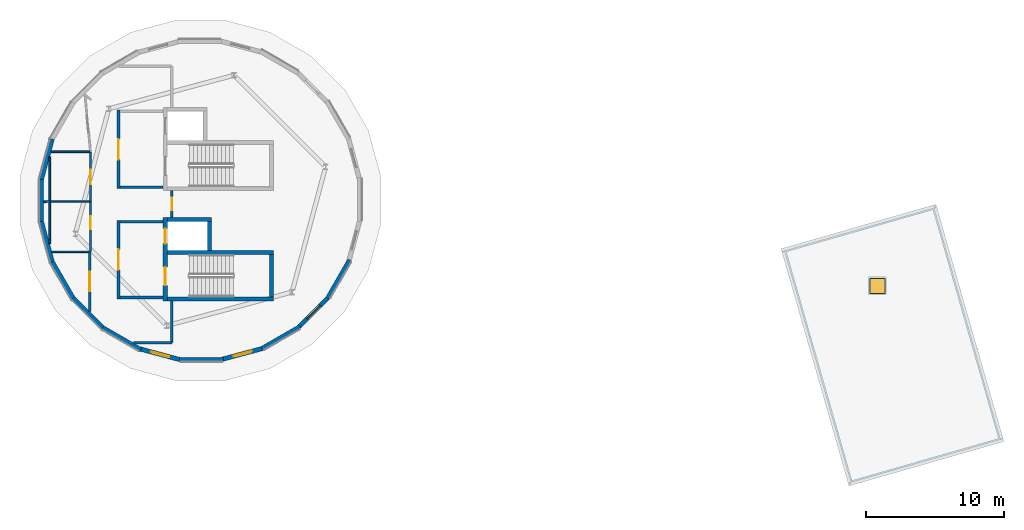
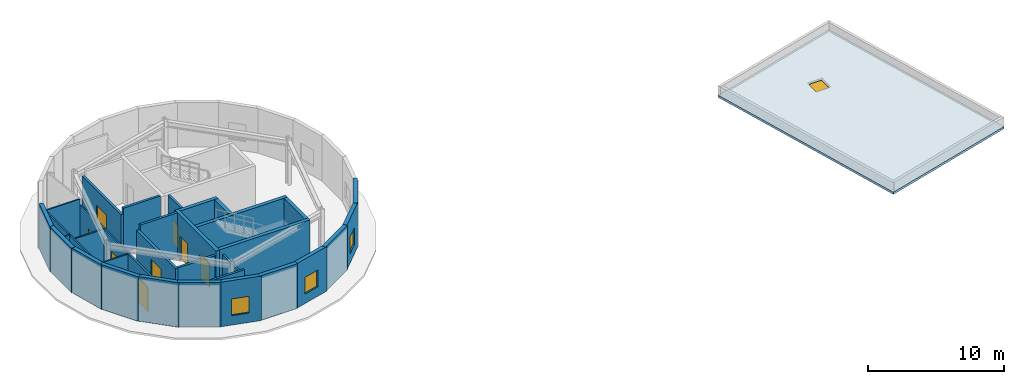
# One storey, part 2 of 5: 35 walls, 9 doors, 3 windows, 1 slab, 12 openings.
"""IFC4 building model written with IfcOpenShell, lengths in metres."""

from ifc_helpers import new_model, si_unit, direction, frame, frame_2d, origin, origin_2d, place, context, subcontext, project, spatial, polyline, rectangle, outline, extrude, material, layer, layer_set, type_object, element, fill, save


model = new_model("IFC4")

# Units and contexts
model_context = context("Model", 3, precision=1e-05, world=origin(), true_north=direction((0.0, 1.0)))
body_context = subcontext(model_context, "Body", "Model", "MODEL_VIEW")
ifc_project = project(units=[si_unit("LENGTHUNIT", "METRE"), si_unit("AREAUNIT", "SQUARE_METRE"), si_unit("VOLUMEUNIT", "CUBIC_METRE"), si_unit("PLANEANGLEUNIT", "RADIAN"), si_unit("MASSUNIT", "GRAM", prefix="KILO")], contexts=[model_context])

# Site, building, storey
site_placement = place(None, origin())
site = spatial("IfcSite", under=ifc_project, at=site_placement, CompositionType="ELEMENT")
building_placement = place(site_placement, origin())
building = spatial("IfcBuilding", under=site, at=building_placement, Name="Varnklinge Art Gallery", CompositionType="ELEMENT")
storey_placement = place(building_placement, frame((0.0, 0.0, 21.60009765625)))
storey = spatial("IfcBuildingStorey", under=building, at=storey_placement, Name="L05", CompositionType="ELEMENT", Elevation=21.60009765625)

# Slab, opening, door
ifc_material_1 = material(Name="Concrete C35/45", Category="concrete")
ifc_layer_1 = layer(ifc_material_1, 0.199951171875)
ifc_layer_set_1 = layer_set([ifc_layer_1], Name="Concrete C35/45")
slab_type = type_object("IfcSlabType", Name="SLB-ROOF20", PredefinedType="ROOF", material=ifc_layer_set_1)
slab_placement = place(storey_placement, frame((0.0, 0.0, -0.2001953125)))
slab = element("IfcSlab", 1, at=slab_placement, inside=storey, type_object=slab_type, Name="L05 Studios Top Roof Slab", PredefinedType="ROOF", context=body_context, shape_type="SweptSolid", body=[
    extrude(outline(polyline([(122.539794921875, 17.78662109375), (133.78662109375, 21.01171875), (128.8525390625, 38.21826171875), (117.605712890625, 34.9931640625), (122.539794921875, 17.78662109375)]), holes=[polyline([(124.050048828125, 31.75), (124.050048828125, 32.85009765625), (125.14990234375, 32.85009765625), (125.14990234375, 31.75), (124.050048828125, 31.75)])]), origin(), (0.0, 0.0, 1.0), 0.2001953125),
])
opening_1_placement = place(slab_placement, frame((124.60009765625, 32.300048828125, 0.0)))
opening_1 = element("IfcOpeningElement", 2, at=opening_1_placement, cuts=slab, Name="Opening RH-04", PredefinedType="OPENING", context=body_context, shape_type="SweptSolid", body=[
    extrude(rectangle(XDim=1.10009765625, YDim=1.10009765625, at=origin_2d()), origin(), (0.0, 0.0, 1.0), 0.2001953125),
])
ifc_material_2 = material(Name="Anodised Aluminium", Category="aluminium")
door_type_1 = type_object("IfcDoorType", Name="RH-T1", OperationType="SINGLE_SWING_LEFT", PredefinedType="TRAPDOOR", material=ifc_material_2)
door_1_placement = place(opening_1_placement, frame((0.0, 0.0, 0.150146484375)))
door_1 = element("IfcDoor", 3, at=door_1_placement, inside=storey, type_object=door_type_1, Name="L05 Roof Maintenance Access Hatch RH-04", OperationType="SINGLE_SWING_LEFT", OverallHeight=1.10009765625, OverallWidth=1.10009765625, PredefinedType="TRAPDOOR", context=body_context, shape_type="SweptSolid", body=[
    extrude(rectangle(XDim=1.10009765625, YDim=1.10009765625, at=origin_2d()), origin(), (0.0, 0.0, 1.0), 0.050048828125),
])
fill(opening_1, door_1)

# Wall
ifc_material_3 = material(Name="Precast concrete C40/50", Category="concrete")
ifc_layer_2 = layer(ifc_material_3, 0.320068359375)
ifc_layer_set_2 = layer_set([ifc_layer_2], Name="Precast concrete C40/50")
wall_type_1 = type_object("IfcWallType", Name="EW-32", PredefinedType="SOLIDWALL", material=ifc_layer_set_2)
wall_1_placement = place(storey_placement, frame((86.332763671875, 34.184814453125, 0.0), z_axis=(0.0, 0.0, 1.0), x_axis=(-0.499964726069, -0.86604576824, 0.0)))
element("IfcWall", 4, at=wall_1_placement, inside=storey, type_object=wall_type_1, Name="L05 Exterior Wall EW-V4D-L05-03", PredefinedType="SOLIDWALL", context=body_context, shape_type="SweptSolid", body=[
    extrude(rectangle(XDim=3.198486328125, YDim=0.320068359375, at=frame_2d((1.59912109375, 0.0))), origin(), (0.0, 0.0, 1.0), 4.0),
])

# Wall, opening, window
wall_2_placement = place(storey_placement, frame((84.8466796875, 31.52783203125, 0.0), z_axis=(0.0, 0.0, 1.0), x_axis=(-0.707106781187, -0.707106781187, 0.0)))
wall_2 = element("IfcWall", 5, at=wall_2_placement, inside=storey, type_object=wall_type_1, Name="L05 Exterior Wall EW-V4D-L05-04", PredefinedType="SOLIDWALL", context=body_context, shape_type="SweptSolid", body=[
    extrude(rectangle(XDim=3.1982421875, YDim=0.320068359375, at=frame_2d((1.59912109375, 0.0))), origin(), (0.0, 0.0, 1.0), 4.0),
])
opening_2_placement = place(wall_2_placement, frame((0.92431640625, 0.0, 0.85009765625)))
opening_2 = element("IfcOpeningElement", 6, at=opening_2_placement, cuts=wall_2, Name="Opening WN-02", PredefinedType="OPENING", context=body_context, shape_type="SweptSolid", body=[
    extrude(rectangle(XDim=1.35009765625, YDim=1.5, at=frame_2d((0.675048828125, 0.75))), frame((0.0, 0.170166015625, 0.0), z_axis=(0.0, -1.0, 0.0), x_axis=(1.0, 0.0, 0.0)), (0.0, 0.0, 1.0), 0.340087890625),
])
ifc_material_4 = material(Name="Insulated Low-E Triple Glazing", Category="glass")
window_type = type_object("IfcWindowType", Name="WN-02", PartitioningType="SINGLE_PANEL", PredefinedType="WINDOW", material=ifc_material_4)
window_1_placement = place(opening_2_placement, origin())
window_1 = element("IfcWindow", 7, at=window_1_placement, inside=storey, type_object=window_type, Name="L05 Window WIN-L05-117", OverallHeight=1.5, OverallWidth=1.35009765625, PartitioningType="SINGLE_PANEL", PredefinedType="WINDOW", context=body_context, shape_type="SweptSolid", body=[
    extrude(rectangle(XDim=1.35009765625, YDim=1.5, at=frame_2d((0.675048828125, 0.75))), frame((0.0, 0.030029296875, 0.0), z_axis=(0.0, -1.0, 0.0), x_axis=(1.0, 0.0, 0.0)), (0.0, 0.0, 1.0), 0.06005859375),
])
fill(opening_2, window_1)

# Wall
wall_3_placement = place(storey_placement, frame((82.723876953125, 29.346435546875, 0.0), z_axis=(0.0, 0.0, 1.0), x_axis=(-0.86604576824, -0.499964726069, 0.0)))
element("IfcWall", 8, at=wall_3_placement, inside=storey, type_object=wall_type_1, Name="L05 Exterior Wall EW-V4D-L05-05", PredefinedType="SOLIDWALL", context=body_context, shape_type="SweptSolid", body=[
    extrude(rectangle(XDim=3.198486328125, YDim=0.320068359375, at=frame_2d((1.59912109375, 0.0))), origin(), (0.0, 0.0, 1.0), 4.0),
])

# Wall, opening, window
wall_4_placement = place(storey_placement, frame((80.1083984375, 27.788818359375, 0.0), z_axis=(0.0, 0.0, 1.0), x_axis=(-0.965918747581, -0.258845461755, 0.0)))
wall_4 = element("IfcWall", 9, at=wall_4_placement, inside=storey, type_object=wall_type_1, Name="L05 Exterior Wall EW-V4D-L05-06", PredefinedType="SOLIDWALL", context=body_context, shape_type="SweptSolid", body=[
    extrude(rectangle(XDim=3.1982421875, YDim=0.320068359375, at=frame_2d((1.59912109375, 0.0))), origin(), (0.0, 0.0, 1.0), 4.0),
])
opening_3_placement = place(wall_4_placement, frame((0.92431640625, 0.0, 0.85009765625)))
opening_3 = element("IfcOpeningElement", 10, at=opening_3_placement, cuts=wall_4, Name="Opening WN-02", PredefinedType="OPENING", context=body_context, shape_type="SweptSolid", body=[
    extrude(rectangle(XDim=1.35009765625, YDim=1.5, at=frame_2d((0.675048828125, 0.75))), frame((0.0, 0.170166015625, 0.0), z_axis=(0.0, -1.0, 0.0), x_axis=(1.0, 0.0, 0.0)), (0.0, 0.0, 1.0), 0.340087890625),
])
window_2_placement = place(opening_3_placement, origin())
window_2 = element("IfcWindow", 11, at=window_2_placement, inside=storey, type_object=window_type, Name="L05 Window WIN-L05-118", OverallHeight=1.5, OverallWidth=1.35009765625, PartitioningType="SINGLE_PANEL", PredefinedType="WINDOW", context=body_context, shape_type="SweptSolid", body=[
    extrude(rectangle(XDim=1.35009765625, YDim=1.5, at=frame_2d((0.675048828125, 0.75))), frame((0.0, 0.030029296875, 0.0), z_axis=(0.0, -1.0, 0.0), x_axis=(1.0, 0.0, 0.0)), (0.0, 0.0, 1.0), 0.06005859375),
])
fill(opening_3, window_2)

# Wall
wall_5_placement = place(storey_placement, frame((77.17919921875, 26.9609375, 0.0), z_axis=(0.0, 0.0, 1.0), x_axis=(-1.0, 0.0, 0.0)))
element("IfcWall", 12, at=wall_5_placement, inside=storey, type_object=wall_type_1, Name="L05 Exterior Wall EW-V4D-L05-07", PredefinedType="SOLIDWALL", context=body_context, shape_type="SweptSolid", body=[
    extrude(rectangle(XDim=3.1982421875, YDim=0.320068359375, at=frame_2d((1.59912109375, 0.0))), origin(), (0.0, 0.0, 1.0), 4.0),
])

# Wall, opening, window
wall_6_placement = place(storey_placement, frame((74.135498046875, 26.919677734375, 0.0), z_axis=(0.0, 0.0, 1.0), x_axis=(-0.96593783041, 0.258774240958, 0.0)))
wall_6 = element("IfcWall", 13, at=wall_6_placement, inside=storey, type_object=wall_type_1, Name="L05 Exterior Wall EW-V4D-L05-08", PredefinedType="SOLIDWALL", context=body_context, shape_type="SweptSolid", body=[
    extrude(rectangle(XDim=3.1982421875, YDim=0.320068359375, at=frame_2d((1.59912109375, 0.0))), origin(), (0.0, 0.0, 1.0), 4.0),
])
opening_4_placement = place(wall_6_placement, frame((0.92431640625, 0.0, 0.85009765625)))
opening_4 = element("IfcOpeningElement", 14, at=opening_4_placement, cuts=wall_6, Name="Opening WN-02", PredefinedType="OPENING", context=body_context, shape_type="SweptSolid", body=[
    extrude(rectangle(XDim=1.35009765625, YDim=1.5, at=frame_2d((0.675048828125, 0.75))), frame((0.0, 0.170166015625, 0.0), z_axis=(0.0, -1.0, 0.0), x_axis=(1.0, 0.0, 0.0)), (0.0, 0.0, 1.0), 0.340087890625),
])
window_3_placement = place(opening_4_placement, origin())
window_3 = element("IfcWindow", 15, at=window_3_placement, inside=storey, type_object=window_type, Name="L05 Window WIN-L05-119", OverallHeight=1.5, OverallWidth=1.35009765625, PartitioningType="SINGLE_PANEL", PredefinedType="WINDOW", context=body_context, shape_type="SweptSolid", body=[
    extrude(rectangle(XDim=1.35009765625, YDim=1.5, at=frame_2d((0.675048828125, 0.75))), frame((0.0, 0.030029296875, 0.0), z_axis=(0.0, -1.0, 0.0), x_axis=(1.0, 0.0, 0.0)), (0.0, 0.0, 1.0), 0.06005859375),
])
fill(opening_4, window_3)

# Walls
wall_7_placement = place(storey_placement, frame((71.184814453125, 27.667236328125, 0.0), z_axis=(0.0, 0.0, 1.0), x_axis=(-0.86604576824, 0.499964726069, 0.0)))
element("IfcWall", 16, at=wall_7_placement, inside=storey, type_object=wall_type_1, Name="L05 Exterior Wall EW-V4D-L05-09", PredefinedType="SOLIDWALL", context=body_context, shape_type="SweptSolid", body=[
    extrude(rectangle(XDim=3.198486328125, YDim=0.320068359375, at=frame_2d((1.59912109375, 0.0))), origin(), (0.0, 0.0, 1.0), 4.0),
])
wall_8_placement = place(storey_placement, frame((68.52783203125, 29.1533203125, 0.0), z_axis=(0.0, 0.0, 1.0), x_axis=(-0.707106781187, 0.707106781187, 0.0)))
element("IfcWall", 17, at=wall_8_placement, inside=storey, type_object=wall_type_1, Name="L05 Exterior Wall EW-V4D-L05-10", PredefinedType="SOLIDWALL", context=body_context, shape_type="SweptSolid", body=[
    extrude(rectangle(XDim=3.1982421875, YDim=0.320068359375, at=frame_2d((1.59912109375, 0.0))), origin(), (0.0, 0.0, 1.0), 4.0),
])
wall_9_placement = place(storey_placement, frame((66.346435546875, 31.276123046875, 0.0), z_axis=(0.0, 0.0, 1.0), x_axis=(-0.499964726069, 0.86604576824, 0.0)))
element("IfcWall", 18, at=wall_9_placement, inside=storey, type_object=wall_type_1, Name="L05 Exterior Wall EW-V4D-L05-11", PredefinedType="SOLIDWALL", context=body_context, shape_type="SweptSolid", body=[
    extrude(rectangle(XDim=3.198486328125, YDim=0.320068359375, at=frame_2d((1.59912109375, 0.0))), origin(), (0.0, 0.0, 1.0), 4.0),
])
for number, where, z_axis, x_axis, name in (
    (19, (64.788818359375, 33.8916015625, 0.0), (0.0, 0.0, 1.0), (-0.258845461755, 0.965918747581, 0.0), "L05 Exterior Wall EW-V4D-L05-12"),
    (20, (63.9609375, 36.82080078125, 0.0), (0.0, 0.0, 1.0), (0.0, 1.0, 0.0), "L05 Exterior Wall EW-V4D-L05-13"),
    (21, (63.919677734375, 39.864501953125, 0.0), (0.0, 0.0, 1.0), (0.258774240958, 0.96593783041, 0.0), "L05 Exterior Wall EW-V4D-L05-14"),
):
    element("IfcWall", number, at=place(storey_placement, frame(where, z_axis=z_axis, x_axis=x_axis)), inside=storey, type_object=wall_type_1, Name=name, PredefinedType="SOLIDWALL", context=body_context, shape_type="SweptSolid", body=[
        extrude(rectangle(XDim=3.1982421875, YDim=0.320068359375, at=frame_2d((1.59912109375, 0.0))), origin(), (0.0, 0.0, 1.0), 4.0),
    ])

# Wall, opening, door
ifc_material_5 = material(Name="Gypsum Board Partition", Category="gypsum")
ifc_layer_3 = layer(ifc_material_5, 0.1201171875)
ifc_layer_set_3 = layer_set([ifc_layer_3], Name="Gypsum Board Partition")
wall_type_2 = type_object("IfcWallType", Name="IW-12", PredefinedType="PARTITIONING", material=ifc_layer_set_3)
wall_10_placement = place(storey_placement, frame((67.530029296875, 38.39990234375, 0.0), z_axis=(0.0, 0.0, 1.0), x_axis=(0.0, -1.0, 0.0)))
wall_10 = element("IfcWall", 22, at=wall_10_placement, inside=storey, type_object=wall_type_2, Name="L05 Partition Wall IW-L05-0377", PredefinedType="PARTITIONING", context=body_context, shape_type="SweptSolid", body=[
    extrude(rectangle(XDim=3.599853515625, YDim=0.1201171875, at=frame_2d((1.7998046875, 0.0))), origin(), (0.0, 0.0, 1.0), 3.489990234375),
])
opening_5_placement = place(wall_10_placement, frame((1.031982421875, 0.0, 0.0)))
opening_5 = element("IfcOpeningElement", 23, at=opening_5_placement, cuts=wall_10, Name="Opening D-L05-271", PredefinedType="OPENING", context=body_context, shape_type="SweptSolid", body=[
    extrude(rectangle(XDim=0.9599609375, YDim=2.10009765625, at=frame_2d((0.47998046875, 1.050048828125))), frame((0.0, 0.070068359375, 0.0), z_axis=(0.0, -1.0, 0.0), x_axis=(1.0, 0.0, 0.0)), (0.0, 0.0, 1.0), 0.14013671875),
])
ifc_material_6 = material(Name="Oak Timber Leaf", Category="wood")
door_type_2 = type_object("IfcDoorType", Name="ID-02", OperationType="SINGLE_SWING_RIGHT", PredefinedType="DOOR", material=ifc_material_6)
door_2_placement = place(opening_5_placement, origin())
door_2 = element("IfcDoor", 24, at=door_2_placement, inside=storey, type_object=door_type_2, Name="L05 L05 Accessible WC Central Door D-L05-271", OperationType="SINGLE_SWING_LEFT", OverallHeight=2.10009765625, OverallWidth=0.9599609375, PredefinedType="DOOR", context=body_context, shape_type="SweptSolid", body=[
    extrude(rectangle(XDim=0.9599609375, YDim=2.10009765625, at=frame_2d((0.47998046875, 1.050048828125))), frame((0.0, 0.02490234375, 0.0), z_axis=(0.0, -1.0, 0.0), x_axis=(1.0, 0.0, 0.0)), (0.0, 0.0, 1.0), 0.050048828125),
])
fill(opening_5, door_2)

wall_11_placement = place(storey_placement, frame((67.530029296875, 42.0, 0.0), z_axis=(0.0, 0.0, 1.0), x_axis=(0.0, -1.0, 0.0)))
wall_11 = element("IfcWall", 25, at=wall_11_placement, inside=storey, type_object=wall_type_2, Name="L05 Partition Wall IW-L05-0378", PredefinedType="PARTITIONING", context=body_context, shape_type="SweptSolid", body=[
    extrude(rectangle(XDim=3.60009765625, YDim=0.1201171875, at=frame_2d((1.800048828125, 0.0))), origin(), (0.0, 0.0, 1.0), 3.489990234375),
])
opening_6_placement = place(wall_11_placement, frame((1.2900390625, 0.0, 0.0)))
opening_6 = element("IfcOpeningElement", 26, at=opening_6_placement, cuts=wall_11, Name="Opening D-L05-272", PredefinedType="OPENING", context=body_context, shape_type="SweptSolid", body=[
    extrude(rectangle(XDim=1.02001953125, YDim=2.1201171875, at=frame_2d((0.510009765625, 1.06005859375))), frame((0.0, 0.070068359375, 0.0), z_axis=(0.0, -1.0, 0.0), x_axis=(1.0, 0.0, 0.0)), (0.0, 0.0, 1.0), 0.14013671875),
])
ifc_material_7 = material(Name="Oak Timber Leaf", Category="wood")
door_type_3 = type_object("IfcDoorType", Name="ID-03", OperationType="SINGLE_SWING_LEFT", PredefinedType="DOOR", material=ifc_material_7)
door_3_placement = place(opening_6_placement, origin())
door_3 = element("IfcDoor", 27, at=door_3_placement, inside=storey, type_object=door_type_3, Name="L05 L05 Public Restroom Central Door D-L05-272", OperationType="SINGLE_SWING_RIGHT", OverallHeight=2.1201171875, OverallWidth=1.02001953125, PredefinedType="DOOR", context=body_context, shape_type="SweptSolid", body=[
    extrude(rectangle(XDim=1.02001953125, YDim=2.1201171875, at=frame_2d((0.510009765625, 1.06005859375))), frame((0.0, 0.02490234375, 0.0), z_axis=(0.0, -1.0, 0.0), x_axis=(1.0, 0.0, 0.0)), (0.0, 0.0, 1.0), 0.050048828125),
])
fill(opening_6, door_3)

# Walls
wall_12_placement = place(storey_placement, frame((64.125, 38.400390625, 0.0), z_axis=(0.0, 0.0, 1.0), x_axis=(0.998072483986, 0.062058977678, 0.0)))
element("IfcWall", 28, at=wall_12_placement, inside=storey, type_object=wall_type_2, Name="L05 Partition Wall IW-L05-0387", PredefinedType="PARTITIONING", context=body_context, shape_type="SweptSolid", body=[
    extrude(rectangle(XDim=0.47607421875, YDim=0.1201171875, at=frame_2d((0.238037109375, 0.0))), origin(), (0.0, 0.0, 1.0), 3.989990234375),
])
wall_13_placement = place(storey_placement, frame((64.60009765625, 38.429931640625, 0.0), z_axis=(0.0, 0.0, 1.0), x_axis=(1.0, 0.0, 0.0)))
element("IfcWall", 29, at=wall_13_placement, inside=storey, type_object=wall_type_2, Name="L05 Partition Wall IW-L05-0388", PredefinedType="PARTITIONING", context=body_context, shape_type="SweptSolid", body=[
    extrude(rectangle(XDim=2.85498046875, YDim=0.1201171875, at=frame_2d((1.427490234375, 0.0))), origin(), (0.0, 0.0, 1.0), 3.489990234375),
])
wall_14_placement = place(storey_placement, frame((64.570068359375, 35.341552734375, 0.0), z_axis=(0.0, 0.0, 1.0), x_axis=(0.0, 1.0, 0.0)))
element("IfcWall", 30, at=wall_14_placement, inside=storey, type_object=wall_type_2, Name="L05 Partition Wall IW-L05-0389", PredefinedType="PARTITIONING", context=body_context, shape_type="SweptSolid", body=[
    extrude(rectangle(XDim=3.011474609375, YDim=0.1201171875, at=frame_2d((1.505859375, 0.0))), origin(), (0.0, 0.0, 1.0), 3.989990234375),
])
wall_15_placement = place(storey_placement, frame((67.364990234375, 34.77001953125, 0.0), z_axis=(0.0, 0.0, 1.0), x_axis=(-1.0, 0.0, 0.0)))
element("IfcWall", 31, at=wall_15_placement, inside=storey, type_object=wall_type_2, Name="L05 Partition Wall IW-L05-0390", PredefinedType="PARTITIONING", context=body_context, shape_type="SweptSolid", body=[
    extrude(rectangle(XDim=2.641845703125, YDim=0.1201171875, at=frame_2d((1.32080078125, 0.0))), origin(), (0.0, 0.0, 1.0), 3.489990234375),
])
wall_16_placement = place(storey_placement, frame((64.66943359375, 42.030029296875, 0.0), z_axis=(0.0, 0.0, 1.0), x_axis=(1.0, 0.0, 0.0)))
element("IfcWall", 32, at=wall_16_placement, inside=storey, type_object=wall_type_2, Name="L05 Partition Wall IW-L05-0391", PredefinedType="PARTITIONING", context=body_context, shape_type="SweptSolid", body=[
    extrude(rectangle(XDim=2.79248046875, YDim=0.1201171875, at=frame_2d((1.396240234375, 0.0))), origin(), (0.0, 0.0, 1.0), 3.989990234375),
])
wall_17_placement = place(storey_placement, frame((64.570068359375, 38.50341796875, 0.0), z_axis=(0.0, 0.0, 1.0), x_axis=(0.0, 1.0, 0.0)))
element("IfcWall", 33, at=wall_17_placement, inside=storey, type_object=wall_type_2, Name="L05 Partition Wall IW-L05-0392", PredefinedType="PARTITIONING", context=body_context, shape_type="SweptSolid", body=[
    extrude(rectangle(XDim=3.155029296875, YDim=0.1201171875, at=frame_2d((1.57763671875, 0.0))), origin(), (0.0, 0.0, 1.0), 3.989990234375),
])

# Wall, opening, door
ifc_material_8 = material(Name="Gypsum Board Partition", Category="gypsum")
ifc_layer_4 = layer(ifc_material_8, 0.179931640625)
ifc_layer_set_4 = layer_set([ifc_layer_4], Name="Gypsum Board Partition")
wall_type_3 = type_object("IfcWallType", Name="IW-18", PredefinedType="PARTITIONING", material=ifc_layer_set_4)
wall_18_placement = place(storey_placement, frame((73.429931640625, 39.2060546875, 0.0), z_axis=(0.0, 0.0, 1.0), x_axis=(0.0, -1.0, 0.0)))
wall_18 = element("IfcWall", 34, at=wall_18_placement, inside=storey, type_object=wall_type_3, Name="L05 Partition Wall IW-L05-0381", PredefinedType="PARTITIONING", context=body_context, shape_type="SweptSolid", body=[
    extrude(rectangle(XDim=1.942138671875, YDim=0.179931640625, at=frame_2d((0.97119140625, 0.0))), origin(), (0.0, 0.0, 1.0), 3.989990234375),
])
opening_7_placement = place(wall_18_placement, frame((0.510986328125, 0.0, 0.0)))
opening_7 = element("IfcOpeningElement", 35, at=opening_7_placement, cuts=wall_18, Name="Opening D-L05-274", PredefinedType="OPENING", context=body_context, shape_type="SweptSolid", body=[
    extrude(rectangle(XDim=0.919921875, YDim=2.080078125, at=frame_2d((0.4599609375, 1.0400390625))), frame((0.0, 0.099853515625, 0.0), z_axis=(0.0, -1.0, 0.0), x_axis=(1.0, 0.0, 0.0)), (0.0, 0.0, 1.0), 0.199951171875),
])
ifc_material_9 = material(Name="Oak Timber Leaf", Category="wood")
door_type_4 = type_object("IfcDoorType", Name="ID-01", OperationType="SINGLE_SWING_LEFT", PredefinedType="DOOR", material=ifc_material_9)
door_4_placement = place(opening_7_placement, origin())
door_4 = element("IfcDoor", 36, at=door_4_placement, inside=storey, type_object=door_type_4, Name="L05 L05 Sky Cabinet and Curatorial Salon Door D-L05-274", OperationType="SINGLE_SWING_RIGHT", OverallHeight=2.080078125, OverallWidth=0.919921875, PredefinedType="DOOR", context=body_context, shape_type="SweptSolid", body=[
    extrude(rectangle(XDim=0.919921875, YDim=2.080078125, at=frame_2d((0.4599609375, 1.0400390625))), frame((0.0, 0.02490234375, 0.0), z_axis=(0.0, -1.0, 0.0), x_axis=(1.0, 0.0, 0.0)), (0.0, 0.0, 1.0), 0.050048828125),
])
fill(opening_7, door_4)

# Walls
wall_19_placement = place(storey_placement, frame((73.429931640625, 31.196044921875, 0.0), z_axis=(0.0, 0.0, 1.0), x_axis=(-0.00291284467, -0.999995757659, 0.0)))
element("IfcWall", 37, at=wall_19_placement, inside=storey, type_object=wall_type_3, Name="L05 Partition Wall IW-L05-0382", PredefinedType="PARTITIONING", context=body_context, shape_type="SweptSolid", body=[
    extrude(rectangle(XDim=3.017333984375, YDim=0.179931640625, at=frame_2d((1.5087890625, 0.0))), origin(), (0.0, 0.0, 1.0), 3.489990234375),
])
wall_20_placement = place(storey_placement, frame((73.421142578125, 28.1787109375, 0.0), z_axis=(0.0, 0.0, 1.0), x_axis=(-0.999994998984, -0.003162595095, 0.0)))
element("IfcWall", 38, at=wall_20_placement, inside=storey, type_object=wall_type_3, Name="L05 Partition Wall IW-L05-0383", PredefinedType="PARTITIONING", context=body_context, shape_type="SweptSolid", body=[
    extrude(rectangle(XDim=2.779052734375, YDim=0.179931640625, at=frame_2d((1.3896484375, 0.0))), origin(), (0.0, 0.0, 1.0), 3.989990234375),
])

# Wall, opening, door
wall_21_placement = place(storey_placement, frame((67.469970703125, 30.443115234375, 0.0), z_axis=(0.0, 0.0, 1.0), x_axis=(0.0, 1.0, 0.0)))
wall_21 = element("IfcWall", 39, at=wall_21_placement, inside=storey, type_object=wall_type_3, Name="L05 Partition Wall IW-L05-0386", PredefinedType="PARTITIONING", context=body_context, shape_type="SweptSolid", body=[
    extrude(rectangle(XDim=4.35693359375, YDim=0.179931640625, at=frame_2d((2.178466796875, 0.0))), origin(), (0.0, 0.0, 1.0), 3.489990234375),
])
opening_8_placement = place(wall_21_placement, frame((1.468505859375, 0.0, 0.0)))
opening_8 = element("IfcOpeningElement", 40, at=opening_8_placement, cuts=wall_21, Name="Opening D-L05-275", PredefinedType="OPENING", context=body_context, shape_type="SweptSolid", body=[
    extrude(rectangle(XDim=1.419921875, YDim=2.179931640625, at=frame_2d((0.7099609375, 1.08984375))), frame((0.0, 0.099853515625, 0.0), z_axis=(0.0, -1.0, 0.0), x_axis=(1.0, 0.0, 0.0)), (0.0, 0.0, 1.0), 0.199951171875),
])
ifc_material_10 = material(Name="Oak Timber Leaf", Category="wood")
door_type_5 = type_object("IfcDoorType", Name="ID-07", OperationType="DOUBLE_DOOR_SINGLE_SWING", PredefinedType="DOOR", material=ifc_material_10)
door_5_placement = place(opening_8_placement, origin())
door_5 = element("IfcDoor", 41, at=door_5_placement, inside=storey, type_object=door_type_5, Name="L05 L05 Sky Cabinet and Curatorial Salon 2 Door D-L05-275", OperationType="DOUBLE_DOOR_SINGLE_SWING", OverallHeight=2.179931640625, OverallWidth=1.419921875, PredefinedType="DOOR", context=body_context, shape_type="SweptSolid", body=[
    extrude(rectangle(XDim=1.419921875, YDim=2.179931640625, at=frame_2d((0.7099609375, 1.08984375))), frame((0.0, 0.02490234375, 0.0), z_axis=(0.0, -1.0, 0.0), x_axis=(1.0, 0.0, 0.0)), (0.0, 0.0, 1.0), 0.050048828125),
])
fill(opening_8, door_5)

# Walls
ifc_material_11 = material(Name="Concrete C40/50", Category="concrete")
ifc_layer_5 = layer(ifc_material_11, 0.199951171875)
ifc_layer_set_5 = layer_set([ifc_layer_5], Name="Concrete C40/50")
wall_type_4 = type_object("IfcWallType", Name="IW-20", PredefinedType="PARTITIONING", material=ifc_layer_set_5)
wall_22_placement = place(storey_placement, frame((69.64990234375, 31.449951171875, 0.0), z_axis=(0.0, 0.0, 1.0), x_axis=(1.0, 0.0, 0.0)))
element("IfcWall", 42, at=wall_22_placement, inside=storey, type_object=wall_type_4, Name="L05 Core C1 Lobby South Wall", PredefinedType="PARTITIONING", context=body_context, shape_type="SweptSolid", body=[
    extrude(rectangle(XDim=3.150146484375, YDim=0.199951171875, at=frame_2d((1.5751953125, 0.0))), origin(), (0.0, 0.0, 1.0), 3.489990234375),
])
wall_23_placement = place(storey_placement, frame((72.800048828125, 36.9599609375, 0.0), z_axis=(0.0, 0.0, 1.0), x_axis=(-1.0, 0.0, 0.0)))
element("IfcWall", 43, at=wall_23_placement, inside=storey, type_object=wall_type_4, Name="L05 Core C1 Lobby North Wall", PredefinedType="PARTITIONING", context=body_context, shape_type="SweptSolid", body=[
    extrude(rectangle(XDim=3.150146484375, YDim=0.199951171875, at=frame_2d((1.5751953125, 0.0))), origin(), (0.0, 0.0, 1.0), 4.0),
])

# Wall, opening, door
wall_24_placement = place(storey_placement, frame((69.550048828125, 31.35009765625, 0.0), z_axis=(0.0, 0.0, 1.0), x_axis=(0.0, 1.0, 0.0)))
wall_24 = element("IfcWall", 44, at=wall_24_placement, inside=storey, type_object=wall_type_4, Name="L05 Core C1 Lobby Corridor Wall", PredefinedType="PARTITIONING", context=body_context, shape_type="SweptSolid", body=[
    extrude(rectangle(XDim=5.7099609375, YDim=0.199951171875, at=frame_2d((2.85498046875, 0.0))), origin(), (0.0, 0.0, 1.0), 3.489990234375),
])
opening_9_placement = place(wall_24_placement, frame((2.114990234375, 0.0, 0.0)))
opening_9 = element("IfcOpeningElement", 45, at=opening_9_placement, cuts=wall_24, Name="Opening D-L05-021", PredefinedType="OPENING", context=body_context, shape_type="SweptSolid", body=[
    extrude(rectangle(XDim=1.47998046875, YDim=2.14990234375, at=frame_2d((0.739990234375, 1.074951171875))), frame((0.0, 0.110107421875, 0.0), z_axis=(0.0, -1.0, 0.0), x_axis=(1.0, 0.0, 0.0)), (0.0, 0.0, 1.0), 0.219970703125),
])
ifc_material_12 = material(Name="Galvanised Fire-Rated Steel", Category="steel")
door_type_6 = type_object("IfcDoorType", Name="ID-LB1", OperationType="DOUBLE_DOOR_SINGLE_SWING", PredefinedType="DOOR", material=ifc_material_12)
door_6_placement = place(opening_9_placement, origin())
door_6 = element("IfcDoor", 46, at=door_6_placement, inside=storey, type_object=door_type_6, Name="L05 Core C1 Protected Lobby Door D-L05-021", OperationType="DOUBLE_DOOR_SINGLE_SWING", OverallHeight=2.14990234375, OverallWidth=1.47998046875, PredefinedType="DOOR", context=body_context, shape_type="SweptSolid", body=[
    extrude(rectangle(XDim=1.47998046875, YDim=2.14990234375, at=frame_2d((0.739990234375, 1.074951171875))), frame((0.0, 0.02490234375, 0.0), z_axis=(0.0, -1.0, 0.0), x_axis=(1.0, 0.0, 0.0)), (0.0, 0.0, 1.0), 0.050048828125),
])
fill(opening_9, door_6)

# Wall
wall_25_placement = place(storey_placement, frame((69.64990234375, 39.449951171875, 0.0), z_axis=(0.0, 0.0, 1.0), x_axis=(1.0, 0.0, 0.0)))
element("IfcWall", 47, at=wall_25_placement, inside=storey, type_object=wall_type_4, Name="L05 Core C2 Lobby South Wall", PredefinedType="PARTITIONING", context=body_context, shape_type="SweptSolid", body=[
    extrude(rectangle(XDim=3.150146484375, YDim=0.199951171875, at=frame_2d((1.5751953125, 0.0))), origin(), (0.0, 0.0, 1.0), 4.0),
])

# Wall, opening, door
wall_26_placement = place(storey_placement, frame((69.550048828125, 39.35009765625, 0.0), z_axis=(0.0, 0.0, 1.0), x_axis=(0.0, 1.0, 0.0)))
wall_26 = element("IfcWall", 48, at=wall_26_placement, inside=storey, type_object=wall_type_4, Name="L05 Core C2 Lobby Corridor Wall", PredefinedType="PARTITIONING", context=body_context, shape_type="SweptSolid", body=[
    extrude(rectangle(XDim=5.7099609375, YDim=0.199951171875, at=frame_2d((2.85498046875, 0.0))), origin(), (0.0, 0.0, 1.0), 3.489990234375),
])
opening_10_placement = place(wall_26_placement, frame((2.114990234375, 0.0, 0.0)))
opening_10 = element("IfcOpeningElement", 49, at=opening_10_placement, cuts=wall_26, Name="Opening D-L05-045", PredefinedType="OPENING", context=body_context, shape_type="SweptSolid", body=[
    extrude(rectangle(XDim=1.47998046875, YDim=2.14990234375, at=frame_2d((0.739990234375, 1.074951171875))), frame((0.0, 0.110107421875, 0.0), z_axis=(0.0, -1.0, 0.0), x_axis=(1.0, 0.0, 0.0)), (0.0, 0.0, 1.0), 0.219970703125),
])
door_7_placement = place(opening_10_placement, origin())
door_7 = element("IfcDoor", 50, at=door_7_placement, inside=storey, type_object=door_type_6, Name="L05 Core C2 Protected Lobby Door D-L05-045", OperationType="DOUBLE_DOOR_SINGLE_SWING", OverallHeight=2.14990234375, OverallWidth=1.47998046875, PredefinedType="DOOR", context=body_context, shape_type="SweptSolid", body=[
    extrude(rectangle(XDim=1.47998046875, YDim=2.14990234375, at=frame_2d((0.739990234375, 1.074951171875))), frame((0.0, 0.02490234375, 0.0), z_axis=(0.0, -1.0, 0.0), x_axis=(1.0, 0.0, 0.0)), (0.0, 0.0, 1.0), 0.050048828125),
])
fill(opening_10, door_7)

# Walls
ifc_material_13 = material(Name="Concrete C40/50", Category="concrete")
ifc_layer_6 = layer(ifc_material_13, 0.300048828125)
ifc_layer_set_6 = layer_set([ifc_layer_6], Name="Concrete C40/50")
wall_type_5 = type_object("IfcWallType", Name="SW-30", PredefinedType="SHEAR", material=ifc_layer_set_6)
wall_27_placement = place(storey_placement, frame((73.10009765625, 31.35009765625, 0.0), z_axis=(0.0, 0.0, 1.0), x_axis=(1.0, 0.0, 0.0)))
element("IfcWall", 51, at=wall_27_placement, inside=storey, type_object=wall_type_5, Name="L05 Core C1 South Shear Wall", PredefinedType="SHEAR", context=body_context, shape_type="SweptSolid", body=[
    extrude(rectangle(XDim=7.699951171875, YDim=0.300048828125, at=frame_2d((3.85009765625, 0.0))), origin(), (0.0, 0.0, 1.0), 4.0),
])
wall_28_placement = place(storey_placement, frame((80.64990234375, 31.5, 0.0), z_axis=(0.0, 0.0, 1.0), x_axis=(0.0, 1.0, 0.0)))
element("IfcWall", 52, at=wall_28_placement, inside=storey, type_object=wall_type_5, Name="L05 Core C1 East Shear Wall", PredefinedType="SHEAR", context=body_context, shape_type="SweptSolid", body=[
    extrude(rectangle(XDim=3.06005859375, YDim=0.300048828125, at=frame_2d((1.530029296875, 0.0))), origin(), (0.0, 0.0, 1.0), 4.0),
])
wall_29_placement = place(storey_placement, frame((80.800048828125, 34.7099609375, 0.0), z_axis=(0.0, 0.0, 1.0), x_axis=(-1.0, 0.0, 0.0)))
element("IfcWall", 53, at=wall_29_placement, inside=storey, type_object=wall_type_5, Name="L05 Core C1 Dividing Shear Wall", PredefinedType="SHEAR", context=body_context, shape_type="SweptSolid", body=[
    extrude(rectangle(XDim=7.699951171875, YDim=0.300048828125, at=frame_2d((3.85009765625, 0.0))), origin(), (0.0, 0.0, 1.0), 4.0),
])
wall_30_placement = place(storey_placement, frame((76.14990234375, 34.860107421875, 0.0), z_axis=(0.0, 0.0, 1.0), x_axis=(0.0, 1.0, 0.0)))
element("IfcWall", 54, at=wall_30_placement, inside=storey, type_object=wall_type_5, Name="L05 Core C1 Lift East Shear Wall", PredefinedType="SHEAR", context=body_context, shape_type="SweptSolid", body=[
    extrude(rectangle(XDim=2.099853515625, YDim=0.300048828125, at=frame_2d((1.0498046875, 0.0))), origin(), (0.0, 0.0, 1.0), 4.0),
])
wall_31_placement = place(storey_placement, frame((76.300048828125, 37.110107421875, 0.0), z_axis=(0.0, 0.0, 1.0), x_axis=(-1.0, 0.0, 0.0)))
element("IfcWall", 55, at=wall_31_placement, inside=storey, type_object=wall_type_5, Name="L05 Core C1 Lift North Shear Wall", PredefinedType="SHEAR", context=body_context, shape_type="SweptSolid", body=[
    extrude(rectangle(XDim=3.199951171875, YDim=0.300048828125, at=frame_2d((1.60009765625, 0.0))), origin(), (0.0, 0.0, 1.0), 4.0),
])

# Wall, openings, doors
wall_32_placement = place(storey_placement, frame((72.949951171875, 37.260009765625, 0.0), z_axis=(0.0, 0.0, 1.0), x_axis=(0.0, -1.0, 0.0)))
wall_32 = element("IfcWall", 56, at=wall_32_placement, inside=storey, type_object=wall_type_5, Name="L05 Core C1 Front Shear Wall", PredefinedType="SHEAR", context=body_context, shape_type="SweptSolid", body=[
    extrude(rectangle(XDim=6.06005859375, YDim=0.300048828125, at=frame_2d((3.030029296875, 0.0))), origin(), (0.0, 0.0, 1.0), 4.0),
])
opening_11_placement = place(wall_32_placement, frame((0.800048828125, 0.0, 0.0)))
opening_11 = element("IfcOpeningElement", 57, at=opening_11_placement, cuts=wall_32, Name="Opening LD-L05-019", PredefinedType="OPENING", context=body_context, shape_type="SweptSolid", body=[
    extrude(rectangle(XDim=1.10009765625, YDim=2.1201171875, at=frame_2d((0.550048828125, 1.06005859375))), frame((0.0, 0.159912109375, 0.0), z_axis=(0.0, -1.0, 0.0), x_axis=(1.0, 0.0, 0.0)), (0.0, 0.0, 1.0), 0.320068359375),
])
opening_12_placement = place(wall_32_placement, frame((3.60009765625, 0.0, 0.0)))
opening_12 = element("IfcOpeningElement", 58, at=opening_12_placement, cuts=wall_32, Name="Opening D-L05-020", PredefinedType="OPENING", context=body_context, shape_type="SweptSolid", body=[
    extrude(rectangle(XDim=1.320068359375, YDim=2.1201171875, at=frame_2d((0.66015625, 1.06005859375))), frame((0.0, 0.159912109375, 0.0), z_axis=(0.0, -1.0, 0.0), x_axis=(1.0, 0.0, 0.0)), (0.0, 0.0, 1.0), 0.320068359375),
])
ifc_material_14 = material(Name="Galvanised Fire-Rated Steel", Category="steel")
door_type_7 = type_object("IfcDoorType", Name="ID-ST1", OperationType="SINGLE_SWING_LEFT", PredefinedType="DOOR", material=ifc_material_14)
door_8_placement = place(opening_12_placement, origin())
door_8 = element("IfcDoor", 59, at=door_8_placement, inside=storey, type_object=door_type_7, Name="L05 Stair ST-01 Fire Door D-L05-020", OperationType="SINGLE_SWING_LEFT", OverallHeight=2.1201171875, OverallWidth=1.320068359375, PredefinedType="DOOR", context=body_context, shape_type="SweptSolid", body=[
    extrude(rectangle(XDim=1.320068359375, YDim=2.1201171875, at=frame_2d((0.66015625, 1.06005859375))), frame((0.0, 0.02490234375, 0.0), z_axis=(0.0, -1.0, 0.0), x_axis=(1.0, 0.0, 0.0)), (0.0, 0.0, 1.0), 0.050048828125),
])
fill(opening_12, door_8)
ifc_material_15 = material(Name="Anodised Aluminium", Category="aluminium")
door_type_8 = type_object("IfcDoorType", Name="LD-PAX", OperationType="SLIDING_TO_LEFT", PredefinedType="DOOR", material=ifc_material_15)
door_9_placement = place(opening_11_placement, origin())
door_9 = element("IfcDoor", 60, at=door_9_placement, inside=storey, type_object=door_type_8, Name="L05 LF-01 Sliding Landing Door LD-L05-019", OperationType="SLIDING_TO_LEFT", OverallHeight=2.1201171875, OverallWidth=1.10009765625, PredefinedType="DOOR", context=body_context, shape_type="SweptSolid", body=[
    extrude(rectangle(XDim=1.10009765625, YDim=2.1201171875, at=frame_2d((0.550048828125, 1.06005859375))), frame((0.0, 0.02490234375, 0.0), z_axis=(0.0, -1.0, 0.0), x_axis=(1.0, 0.0, 0.0)), (0.0, 0.0, 1.0), 0.050048828125),
])
fill(opening_11, door_9)

save(model, "model.ifc")
